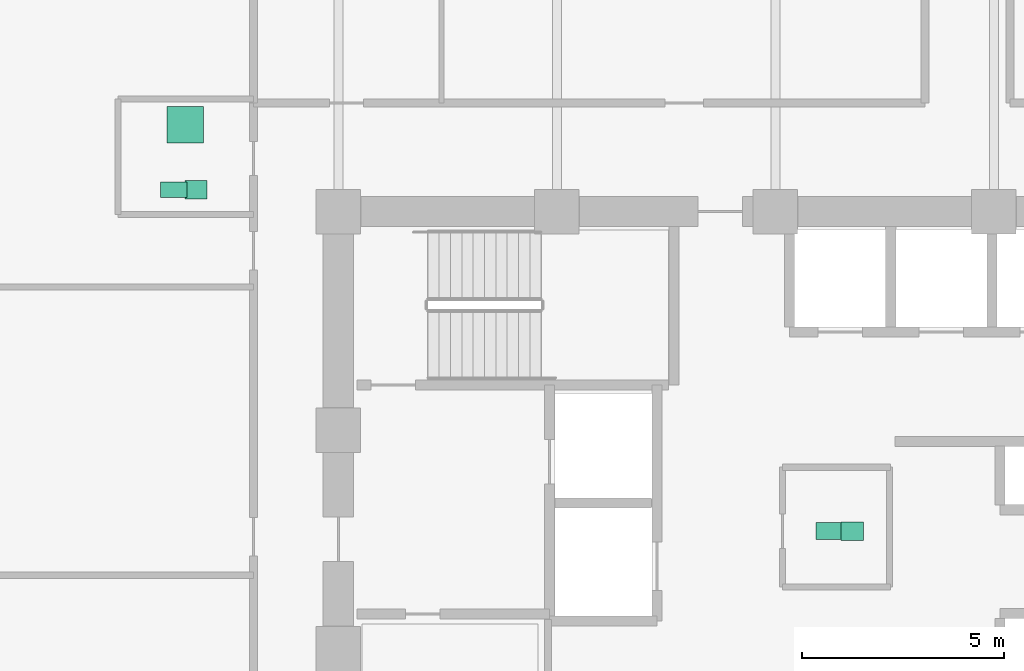
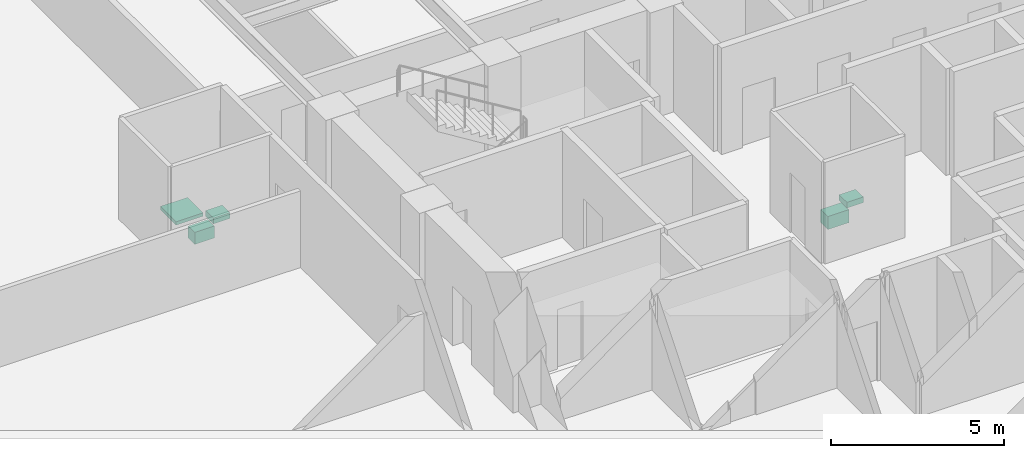
# One storey, part 25 of 25: 5 sanitary terminals.
"""IFC4 building model written with IfcOpenShell, lengths in metres."""

from ifc_helpers import new_model, si_unit, direction, frame, origin, origin_2d, place, context, subcontext, project, spatial, rectangle, extrude, material, type_object, element, save


model = new_model("IFC4")

# Units and contexts
model_context = context("Model", 3, precision=1e-05, world=origin(), true_north=direction((0.0, 1.0)))
body_context = subcontext(model_context, "Body", "Model", "MODEL_VIEW")
ifc_project = project(units=[si_unit("LENGTHUNIT", "METRE"), si_unit("AREAUNIT", "SQUARE_METRE"), si_unit("VOLUMEUNIT", "CUBIC_METRE"), si_unit("PLANEANGLEUNIT", "RADIAN"), si_unit("MASSUNIT", "GRAM", prefix="KILO")], contexts=[model_context])

# Site, building, storey
site_placement = place(None, origin())
site = spatial("IfcSite", under=ifc_project, at=site_placement, CompositionType="ELEMENT")
building_placement = place(site_placement, origin())
building = spatial("IfcBuilding", under=site, at=building_placement, Name="Surkhivell Harbour Commons", CompositionType="ELEMENT")
storey_placement = place(building_placement, frame((0.0, 0.0, 98.25)))
storey = spatial("IfcBuildingStorey", under=building, at=storey_placement, Name="L25", CompositionType="ELEMENT", Elevation=98.25)

# Sanitary terminals
ifc_material_1 = material(Name="Vitreous china washbasin", Category="other")
sanitary_terminal_type_1 = type_object("IfcSanitaryTerminalType", Name="SAN-BSN", PredefinedType="WASHHANDBASIN", material=ifc_material_1)
for number, where, z_axis, x_axis, name in (
    (1, (1.89990234375, 2.89990234375, 0.72021484375), (0.0, 0.0, 1.0), (1.0, 0.0, 0.0), "L25 Core Accessible WC Washbasin"),
    (2, (-14.320068359375, 11.340087890625, 0.72021484375), (0.0, 0.0, 1.0), (1.0, 0.0, 0.0), "L25 West Communal Bathroom WC Washbasin"),
):
    element("IfcSanitaryTerminal", number, at=place(storey_placement, frame(where, z_axis=z_axis, x_axis=x_axis)), inside=storey, type_object=sanitary_terminal_type_1, Name=name, PredefinedType="WASHHANDBASIN", context=body_context, shape_type="SweptSolid", body=[
        extrude(rectangle(XDim=0.550048828125, YDim=0.449951171875, at=origin_2d()), origin(), (0.0, 0.0, 1.0), 0.199951171875),
    ])
ifc_material_2 = material(Name="Glazed porcelain shower tray", Category="other")
sanitary_terminal_type_2 = type_object("IfcSanitaryTerminalType", Name="SAN-SHW", PredefinedType="SHOWER", material=ifc_material_2)
sanitary_terminal_1_placement = place(storey_placement, frame((-14.590087890625, 12.93994140625, 0.0), z_axis=(0.0, 0.0, 1.0), x_axis=(1.0, 0.0, 0.0)))
element("IfcSanitaryTerminal", 3, at=sanitary_terminal_1_placement, inside=storey, type_object=sanitary_terminal_type_2, Name="L25 West Communal Shower Tray", PredefinedType="SHOWER", context=body_context, shape_type="SweptSolid", body=[
    extrude(rectangle(XDim=0.89990234375, YDim=0.89990234375, at=origin_2d()), origin(), (0.0, 0.0, 1.0), 0.1201171875),
])
ifc_material_3 = material(Name="Vitreous china sanitaryware", Category="other")
sanitary_terminal_type_3 = type_object("IfcSanitaryTerminalType", Name="SAN-WC-ACC", PredefinedType="TOILETPAN", material=ifc_material_3)
sanitary_terminal_2_placement = place(storey_placement, frame((1.35009765625, 2.89990234375, 0.169921875), z_axis=(0.0, 0.0, 1.0), x_axis=(1.0, 0.0, 0.0)))
element("IfcSanitaryTerminal", 4, at=sanitary_terminal_2_placement, inside=storey, type_object=sanitary_terminal_type_3, Name="L25 Core Accessible WC", PredefinedType="TOILETPAN", context=body_context, shape_type="SweptSolid", body=[
    extrude(rectangle(XDim=0.699951171875, YDim=0.419921875, at=origin_2d()), origin(), (0.0, 0.0, 1.0), 0.4599609375),
])
sanitary_terminal_type_4 = type_object("IfcSanitaryTerminalType", Name="SAN-WC-STD", PredefinedType="TOILETPAN", material=ifc_material_3)
sanitary_terminal_3_placement = place(storey_placement, frame((-14.8701171875, 11.340087890625, 0.18994140625), z_axis=(0.0, 0.0, 1.0), x_axis=(1.0, 0.0, 0.0)))
element("IfcSanitaryTerminal", 5, at=sanitary_terminal_3_placement, inside=storey, type_object=sanitary_terminal_type_4, Name="L25 West Communal Bathroom WC", PredefinedType="TOILETPAN", context=body_context, shape_type="SweptSolid", body=[
    extrude(rectangle(XDim=0.64990234375, YDim=0.3798828125, at=origin_2d()), origin(), (0.0, 0.0, 1.0), 0.419921875),
])

save(model, "model.ifc")
